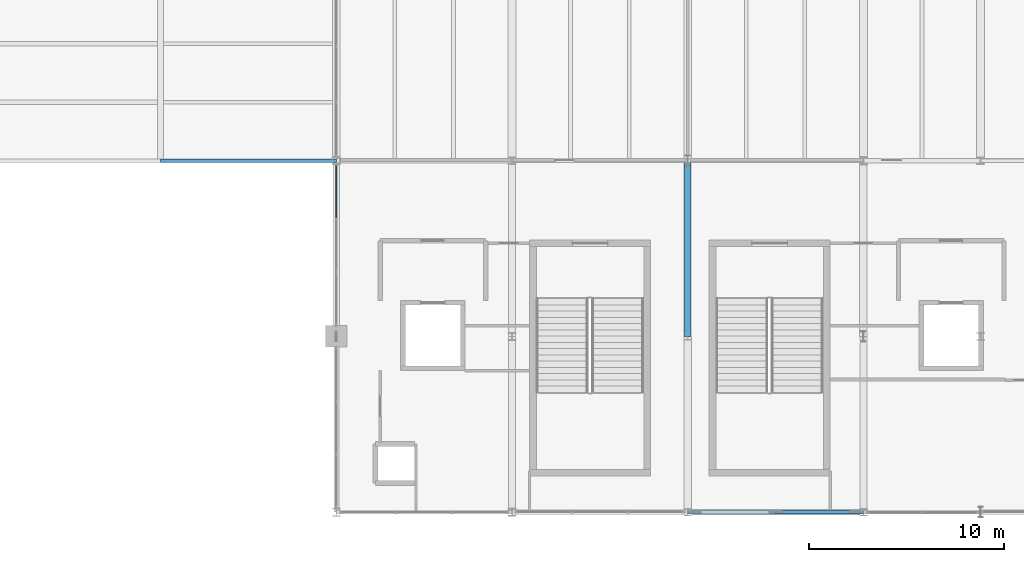
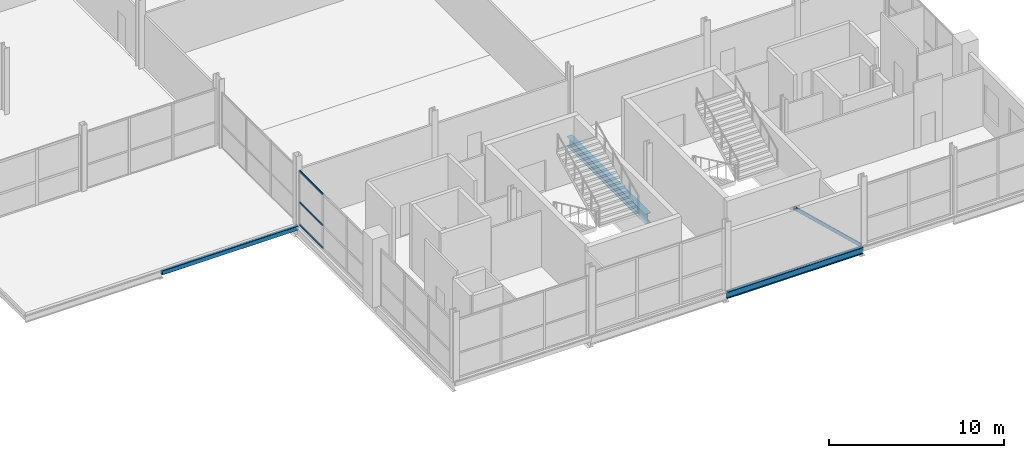
# One storey, part 16 of 69: 4 members, 3 beams, 1 element without a shape of its own.
"""IFC4 building model written with IfcOpenShell, lengths in metres."""

from ifc_helpers import new_model, si_unit, direction, frame, origin, origin_2d, place, context, subcontext, project, spatial, rectangle, hollow_rectangle, i_section, extrude, material, layer, layer_set, material_profile, profile_set, type_object, element, aggregate, save


model = new_model("IFC4")

# Units and contexts
model_context = context("Model", 3, precision=1e-05, world=origin(), true_north=direction((0.0, 1.0)))
body_context = subcontext(model_context, "Body", "Model", "MODEL_VIEW")
ifc_project = project(units=[si_unit("LENGTHUNIT", "METRE"), si_unit("AREAUNIT", "SQUARE_METRE"), si_unit("VOLUMEUNIT", "CUBIC_METRE"), si_unit("PLANEANGLEUNIT", "RADIAN"), si_unit("MASSUNIT", "GRAM", prefix="KILO")], contexts=[model_context])

# Site, building, storey
site_placement = place(None, origin())
site = spatial("IfcSite", under=ifc_project, at=site_placement, CompositionType="ELEMENT")
building_placement = place(site_placement, origin())
building = spatial("IfcBuilding", under=site, at=building_placement, Name="Qamarlyn Nura Convention Centre", CompositionType="ELEMENT")
storey_placement = place(building_placement, frame((0.0, 0.0, 15.60009765625)))
storey = spatial("IfcBuildingStorey", under=building, at=storey_placement, Name="L03", CompositionType="ELEMENT", Elevation=15.60009765625)

# Beams
ifc_material_1 = material(Name="Steel ASTM A992", Category="steel")
ifc_material_profile_1 = material_profile(ifc_material_1, i_section(OverallWidth=0.35498046875, OverallDepth=0.695068359375, WebThickness=0.015380859375, FlangeThickness=0.02490234375, FilletRadius=0.01806640625, at=origin_2d()), Name="W690X217")
ifc_profile_set_1 = profile_set([ifc_material_profile_1], Name="Steel ASTM A992")
beam_type_1 = type_object("IfcBeamType", Name="BM-GIRD-690A", PredefinedType="BEAM", material=ifc_profile_set_1)
beam_1_placement = place(storey_placement, frame((171.0, 9.0, -0.547607421875), z_axis=(0.0, 1.0, 0.0), x_axis=(-1.0, 0.0, 0.0)))
element("IfcBeam", 1, at=beam_1_placement, inside=storey, type_object=beam_type_1, Name="L03 girder 15 B-C", PredefinedType="BEAM", context=body_context, shape_type="SweptSolid", body=[
    extrude(i_section(OverallWidth=0.35498046875, OverallDepth=0.695068359375, WebThickness=0.015380859375, FlangeThickness=0.02490234375, FilletRadius=0.01806640625, at=origin_2d()), origin(), (0.0, 0.0, 1.0), 9.0),
])
ifc_material_profile_2 = material_profile(ifc_material_1, i_section(OverallWidth=0.193115234375, OverallDepth=0.466064453125, WebThickness=0.011474609375, FlangeThickness=0.01904296875, FilletRadius=0.012939453125, at=origin_2d()), Name="W460X97")
ifc_profile_set_2 = profile_set([ifc_material_profile_2], Name="Steel ASTM A992")
beam_type_2 = type_object("IfcBeamType", Name="BM-SPAN-460", PredefinedType="SPANDREL", material=ifc_profile_set_2)
beam_2_placement = place(storey_placement, frame((171.0, 0.0, -0.43310546875), z_axis=(1.0, 0.0, 0.0), x_axis=(0.0, 1.0, 0.0)))
element("IfcBeam", 2, at=beam_2_placement, inside=storey, type_object=beam_type_2, Name="L03 girder A 15-16", PredefinedType="SPANDREL", context=body_context, shape_type="SweptSolid", body=[
    extrude(i_section(OverallWidth=0.193115234375, OverallDepth=0.466064453125, WebThickness=0.011474609375, FlangeThickness=0.01904296875, FilletRadius=0.012939453125, at=origin_2d()), origin(), (0.0, 0.0, 1.0), 9.0),
])
ifc_material_2 = material(Name="Steel ASTM A500 Grade C", Category="steel")
ifc_material_profile_3 = material_profile(ifc_material_2, hollow_rectangle(XDim=0.199951171875, YDim=0.300048828125, WallThickness=0.012451171875, InnerFilletRadius=0.012451171875, OuterFilletRadius=0.02490234375, at=origin_2d()), Name="HSS300X200X12.5")
ifc_profile_set_3 = profile_set([ifc_material_profile_3], Name="Steel ASTM A500 Grade C")
beam_type_3 = type_object("IfcBeamType", Name="BM-SPAN-HSS", PredefinedType="SPANDREL", material=ifc_profile_set_3)
beam_3_placement = place(storey_placement, frame((144.0, 18.0, -0.3251953125), z_axis=(1.0, 0.0, 0.0), x_axis=(0.0, 1.0, 0.0)))
element("IfcBeam", 3, at=beam_3_placement, inside=storey, type_object=beam_type_3, Name="L03 girder C 12-13", PredefinedType="SPANDREL", context=body_context, shape_type="SweptSolid", body=[
    extrude(hollow_rectangle(XDim=0.199951171875, YDim=0.300048828125, WallThickness=0.012451171875, InnerFilletRadius=0.012451171875, OuterFilletRadius=0.02490234375, at=origin_2d()), origin(), (0.0, 0.0, 1.0), 9.0),
])

# Member
ifc_material_profile_4 = material_profile(ifc_material_2, hollow_rectangle(XDim=0.199951171875, YDim=0.199951171875, WallThickness=0.010009765625, InnerFilletRadius=0.010009765625, OuterFilletRadius=0.02001953125, at=origin_2d()), Name="HSS200X200X10")
ifc_profile_set_4 = profile_set([ifc_material_profile_4], Name="Steel ASTM A500 Grade C")
member_type_1 = type_object("IfcMemberType", Name="CBF-BRC-200", PredefinedType="BRACE", material=ifc_profile_set_4)
member_1_placement = place(storey_placement, frame((179.820068359375, 0.0, 0.0), z_axis=(-0.728633833675, 0.0, 0.684903450439), x_axis=(0.0, -1.0, 0.0)))
element("IfcMember", 4, at=member_1_placement, inside=storey, type_object=member_type_1, Name="L03 SCBF chevron brace CBF-E1R", PredefinedType="BRACE", context=body_context, shape_type="SweptSolid", body=[
    extrude(hollow_rectangle(XDim=0.199951171875, YDim=0.199951171875, WallThickness=0.010009765625, InnerFilletRadius=0.010009765625, OuterFilletRadius=0.02001953125, at=origin_2d()), origin(), (0.0, 0.0, 1.0), 5.928955078125),
])

# Curtain wall, members
ifc_material_3 = material(Name="Double-silver low-E insulated glass", Category="glass")
ifc_layer = layer(ifc_material_3, 0.179931640625, Name="CW-UNIT-122")
ifc_layer_set = layer_set([ifc_layer], Name="Double-silver low-E insulated glass")
curtain_wall_type = type_object("IfcCurtainWallType", Name="CW-UNIT-122", PredefinedType="NOTDEFINED", material=ifc_layer_set)
curtain_wall_placement = place(storey_placement, origin())
curtain_wall = element("IfcCurtainWall", 5, at=curtain_wall_placement, inside=storey, type_object=curtain_wall_type, Name="L03 unitised curtain wall FCW-9-1", PredefinedType="NOTDEFINED")
ifc_material_4 = material(Name="Champagne-anodised marine aluminium", Category="aluminium")
ifc_material_profile_5 = material_profile(ifc_material_4, rectangle(XDim=0.06494140625, YDim=0.1201171875, at=origin_2d()), Name="ALU TRANSOM 65x120")
ifc_profile_set_5 = profile_set([ifc_material_profile_5], Name="Champagne-anodised marine aluminium")
member_type_2 = type_object("IfcMemberType", Name="CWT-120", PredefinedType="USERDEFINED", material=ifc_profile_set_5)
member_2_placement = place(storey_placement, frame((153.0, 15.08251953125, 0.032470703125), z_axis=(0.0, 1.0, 0.0), x_axis=(-1.0, 0.0, 0.0)))
member_2 = element("IfcMember", 6, at=member_2_placement, type_object=member_type_2, Name="CW122 transom 3.1", ObjectType="TRANSOM", PredefinedType="USERDEFINED", context=body_context, shape_type="SweptSolid", body=[
    extrude(rectangle(XDim=0.06494140625, YDim=0.1201171875, at=origin_2d()), origin(), (0.0, 0.0, 1.0), 2.652587890625),
])
member_3_placement = place(storey_placement, frame((153.0, 15.08251953125, 1.600830078125), z_axis=(0.0, 1.0, 0.0), x_axis=(-1.0, 0.0, 0.0)))
member_3 = element("IfcMember", 7, at=member_3_placement, type_object=member_type_2, Name="CW122 transom 3.2", ObjectType="TRANSOM", PredefinedType="USERDEFINED", context=body_context, shape_type="SweptSolid", body=[
    extrude(rectangle(XDim=0.06494140625, YDim=0.1201171875, at=origin_2d()), origin(), (0.0, 0.0, 1.0), 2.652587890625),
])
member_4_placement = place(storey_placement, frame((153.0, 15.08251953125, 3.779296875), z_axis=(0.0, 1.0, 0.0), x_axis=(-1.0, 0.0, 0.0)))
member_4 = element("IfcMember", 8, at=member_4_placement, type_object=member_type_2, Name="CW122 transom 3.3", ObjectType="TRANSOM", PredefinedType="USERDEFINED", context=body_context, shape_type="SweptSolid", body=[
    extrude(rectangle(XDim=0.06494140625, YDim=0.1201171875, at=origin_2d()), origin(), (0.0, 0.0, 1.0), 2.652587890625),
])
aggregate(curtain_wall, [member_2, member_3, member_4])

save(model, "model.ifc")
